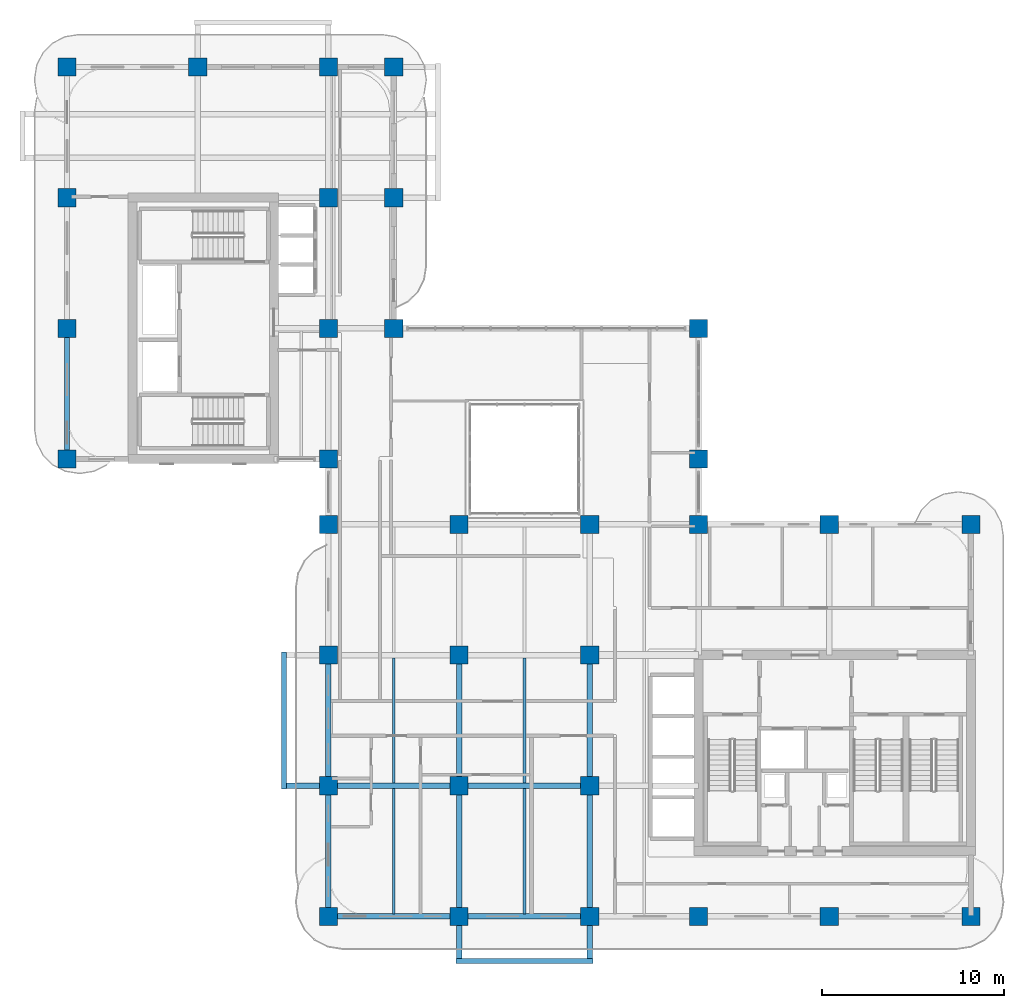
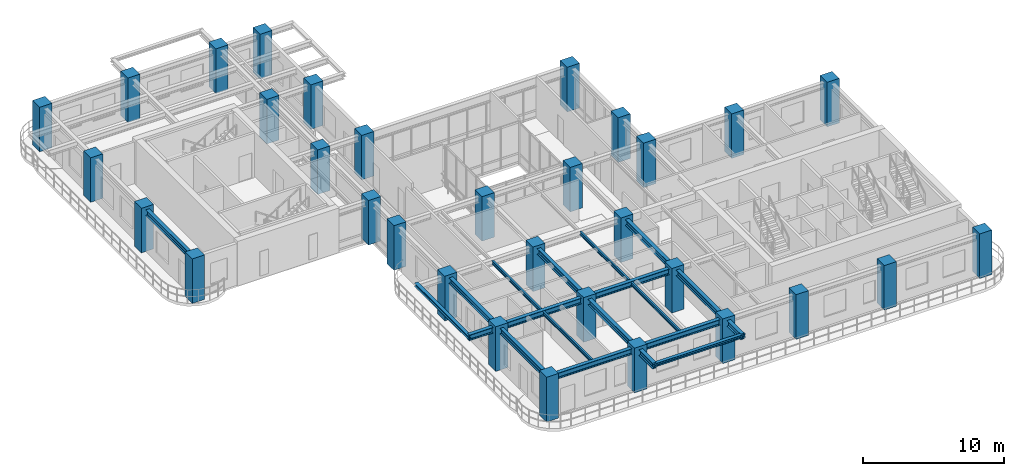
# One storey, part 1 of 19: 32 columns, 17 beams.
"""IFC4 building model written with IfcOpenShell, lengths in metres."""

from ifc_helpers import new_model, si_unit, derived_unit, direction, frame, origin, origin_2d, place, context, subcontext, project, spatial, rectangle, i_section, extrude, source, transform, mapped, material, material_profile, profile_set, type_object, type_shapes, element, save


model = new_model("IFC4")

# Units and contexts
model_context = context("Model", 3, precision=1e-05, world=origin(), true_north=direction((0.0, 1.0)))
body_context = subcontext(model_context, "Body", "Model", "MODEL_VIEW")
ifc_project = project(units=[si_unit("LENGTHUNIT", "METRE"), si_unit("AREAUNIT", "SQUARE_METRE"), si_unit("VOLUMEUNIT", "CUBIC_METRE"), si_unit("PLANEANGLEUNIT", "RADIAN"), si_unit("MASSUNIT", "GRAM", prefix="KILO"), si_unit("THERMODYNAMICTEMPERATUREUNIT", "KELVIN"), si_unit("POWERUNIT", "WATT"), derived_unit("THERMALTRANSMITTANCEUNIT", [(si_unit("POWERUNIT", "WATT"), 1), (si_unit("AREAUNIT", "SQUARE_METRE"), -1), (si_unit("THERMODYNAMICTEMPERATUREUNIT", "KELVIN"), -1)])], contexts=[model_context])

# Site, building, storey
site_placement = place(None, origin())
site = spatial("IfcSite", under=ifc_project, at=site_placement, CompositionType="ELEMENT")
building_placement = place(site_placement, origin())
building = spatial("IfcBuilding", under=site, at=building_placement, Name="Zahravan Archway Hotel and Residences", CompositionType="ELEMENT")
storey_placement = place(building_placement, frame((0.0, 0.0, 158.0)))
storey = spatial("IfcBuildingStorey", under=building, at=storey_placement, Name="L39", CompositionType="ELEMENT", Elevation=158.0)

# Columns
ifc_material_1 = material(Name="Concrete C60/75", Category="concrete")
ifc_material_profile_1 = material_profile(ifc_material_1, rectangle(XDim=1.0, YDim=1.0, at=origin_2d()), Name="RC-COL-1000x1000", Category="concrete")
ifc_profile_set_1 = profile_set([ifc_material_profile_1], Name="Concrete C60/75")
column_type = type_object("IfcColumnType", Name="COL-RC-1000", PredefinedType="COLUMN", material=ifc_profile_set_1)
shared_shape_1 = source(origin(), body_context, "Body", "SweptSolid", [
    extrude(rectangle(XDim=1.0, YDim=1.0, at=origin_2d()), origin(), (0.0, 0.0, 1.0), 3.85009765625),
])
for number, where, z_axis, x_axis, name in (
    (1, (0.0, 25.199951171875, 0.0), (0.0, 0.0, 1.0), (1.0, 0.0, 0.0), "L39 Column 1-E"),
    (2, (0.0, 32.39990234375, 0.0), (0.0, 0.0, 1.0), (1.0, 0.0, 0.0), "L39 Column 1-F"),
    (3, (0.0, 39.60009765625, 0.0), (0.0, 0.0, 1.0), (1.0, 0.0, 0.0), "L39 Column 1-G"),
    (4, (0.0, 46.800048828125, 0.0), (0.0, 0.0, 1.0), (1.0, 0.0, 0.0), "L39 Column 1-H"),
    (5, (7.199951171875, 46.800048828125, 0.0), (0.0, 0.0, 1.0), (1.0, 0.0, 0.0), "L39 Column 2-H"),
    (6, (14.39990234375, 0.0, 0.0), (0.0, 0.0, 1.0), (1.0, 0.0, 0.0), "L39 Column 3-A"),
    (7, (14.39990234375, 7.199951171875, 0.0), (0.0, 0.0, 1.0), (1.0, 0.0, 0.0), "L39 Column 3-B"),
    (8, (14.39990234375, 14.39990234375, 0.0), (0.0, 0.0, 1.0), (1.0, 0.0, 0.0), "L39 Column 3-C"),
    (9, (14.39990234375, 21.60009765625, 0.0), (0.0, 0.0, 1.0), (1.0, 0.0, 0.0), "L39 Column 3-D"),
    (10, (14.39990234375, 25.199951171875, 0.0), (0.0, 0.0, 1.0), (1.0, 0.0, 0.0), "L39 Column 3-E"),
    (11, (14.39990234375, 32.39990234375, 0.0), (0.0, 0.0, 1.0), (1.0, 0.0, 0.0), "L39 Column 3-F"),
    (12, (14.39990234375, 39.60009765625, 0.0), (0.0, 0.0, 1.0), (1.0, 0.0, 0.0), "L39 Column 3-G"),
    (13, (14.39990234375, 46.800048828125, 0.0), (0.0, 0.0, 1.0), (1.0, 0.0, 0.0), "L39 Column 3-H"),
    (14, (21.60009765625, 0.0, 0.0), (0.0, 0.0, 1.0), (1.0, 0.0, 0.0), "L39 Column 4-A"),
    (15, (21.60009765625, 7.199951171875, 0.0), (0.0, 0.0, 1.0), (1.0, 0.0, 0.0), "L39 Column 4-B"),
    (16, (21.60009765625, 14.39990234375, 0.0), (0.0, 0.0, 1.0), (1.0, 0.0, 0.0), "L39 Column 4-C"),
    (17, (21.60009765625, 21.60009765625, 0.0), (0.0, 0.0, 1.0), (1.0, 0.0, 0.0), "L39 Column 4-D"),
    (18, (28.800048828125, 0.0, 0.0), (0.0, 0.0, 1.0), (1.0, 0.0, 0.0), "L39 Column 5-A"),
    (19, (28.800048828125, 7.199951171875, 0.0), (0.0, 0.0, 1.0), (1.0, 0.0, 0.0), "L39 Column 5-B"),
    (20, (28.800048828125, 14.39990234375, 0.0), (0.0, 0.0, 1.0), (1.0, 0.0, 0.0), "L39 Column 5-C"),
    (21, (28.800048828125, 21.60009765625, 0.0), (0.0, 0.0, 1.0), (1.0, 0.0, 0.0), "L39 Column 5-D"),
    (22, (34.800048828125, 0.0, 0.0), (0.0, 0.0, 1.0), (1.0, 0.0, 0.0), "L39 Column 6-A"),
    (23, (34.800048828125, 21.60009765625, 0.0), (0.0, 0.0, 1.0), (1.0, 0.0, 0.0), "L39 Column 6-D"),
    (24, (34.800048828125, 25.199951171875, 0.0), (0.0, 0.0, 1.0), (1.0, 0.0, 0.0), "L39 Column 6-E"),
    (25, (34.800048828125, 32.39990234375, 0.0), (0.0, 0.0, 1.0), (1.0, 0.0, 0.0), "L39 Column 6-F"),
    (26, (42.0, 0.0, 0.0), (0.0, 0.0, 1.0), (1.0, 0.0, 0.0), "L39 Column 7-A"),
    (27, (42.0, 21.60009765625, 0.0), (0.0, 0.0, 1.0), (1.0, 0.0, 0.0), "L39 Column 7-D"),
    (28, (49.800048828125, 0.0, 0.0), (0.0, 0.0, 1.0), (1.0, 0.0, 0.0), "L39 Column 8-A"),
    (29, (49.800048828125, 21.60009765625, 0.0), (0.0, 0.0, 1.0), (1.0, 0.0, 0.0), "L39 Column 8-D"),
    (30, (18.0, 32.39990234375, 0.0), (0.0, 0.0, 1.0), (1.0, 0.0, 0.0), "L39 Column 3B-F"),
    (31, (18.0, 39.60009765625, 0.0), (0.0, 0.0, 1.0), (1.0, 0.0, 0.0), "L39 Column 3B-G"),
    (32, (18.0, 46.800048828125, 0.0), (0.0, 0.0, 1.0), (1.0, 0.0, 0.0), "L39 Column 3B-H"),
):
    element("IfcColumn", number, at=place(storey_placement, frame(where, z_axis=z_axis, x_axis=x_axis)), inside=storey, type_object=column_type, Name=name, PredefinedType="COLUMN", context=body_context, shape_type="MappedRepresentation", body=[
        mapped(shared_shape_1, transform((0.0, 0.0, 0.0), scale=1.0)),
    ])

# Beams
ifc_material_2 = material(Name="Structural Steel S355JR", Category="steel")
ifc_material_profile_2 = material_profile(ifc_material_2, i_section(OverallWidth=0.280029296875, OverallDepth=0.280029296875, WebThickness=0.010498046875, FlangeThickness=0.01806640625, FilletRadius=0.02392578125, at=origin_2d()), Name="HEB 280", Category="steel")
ifc_profile_set_2 = profile_set([ifc_material_profile_2], Name="Structural Steel S355JR")
beam_type_1 = type_object("IfcBeamType", Name="BM-SPN-HEB280", PredefinedType="SPANDREL", material=ifc_profile_set_2)
shared_shape_2 = source(origin(), body_context, "Body", "SweptSolid", [
    extrude(i_section(OverallWidth=0.280029296875, OverallDepth=0.280029296875, WebThickness=0.010498046875, FlangeThickness=0.01806640625, FilletRadius=0.02392578125, at=origin_2d()), origin(), (0.0, 0.0, 1.0), 7.56005859375),
])
type_shapes(beam_type_1, [shared_shape_2])
for number, where, z_axis, x_axis, name in (
    (33, (11.949951171875, 7.02001953125, 3.4599609375), (0.0, 1.0, 0.0), (-1.0, 0.0, 0.0), "L40 WA Balcony Edge Spandrel"),
    (34, (21.419921875, -2.449951171875, 3.4599609375), (1.0, 0.0, 0.0), (0.0, 1.0, 0.0), "L40 SA Balcony Edge Spandrel"),
):
    element("IfcBeam", number, at=place(storey_placement, frame(where, z_axis=z_axis, x_axis=x_axis)), inside=storey, type_object=beam_type_1, Name=name, PredefinedType="SPANDREL", context=body_context, shape_type="MappedRepresentation", body=[
        mapped(shared_shape_2, transform((0.0, 0.0, 0.0), scale=1.0)),
    ])
ifc_material_profile_3 = material_profile(ifc_material_2, i_section(OverallWidth=0.300048828125, OverallDepth=0.5, WebThickness=0.014404296875, FlangeThickness=0.028076171875, FilletRadius=0.027099609375, at=origin_2d()), Name="HEB 500", Category="steel")
ifc_profile_set_3 = profile_set([ifc_material_profile_3], Name="Structural Steel S355JR")
beam_type_2 = type_object("IfcBeamType", Name="BM-PRI-HEB500", PredefinedType="BEAM", material=ifc_profile_set_3)
shared_shape_3 = source(origin(), body_context, "Body", "SweptSolid", [
    extrude(i_section(OverallWidth=0.300048828125, OverallDepth=0.5, WebThickness=0.014404296875, FlangeThickness=0.028076171875, FilletRadius=0.027099609375, at=origin_2d()), origin(), (0.0, 0.0, 1.0), 7.2001953125),
])
type_shapes(beam_type_2, [shared_shape_3])
beam_1_placement = place(storey_placement, frame((14.39990234375, 0.0, 3.35009765625), z_axis=(1.0, 0.0, 0.0), x_axis=(0.0, 1.0, 0.0)))
element("IfcBeam", 35, at=beam_1_placement, inside=storey, type_object=beam_type_2, Name="L39 Primary Girder EW-01", PredefinedType="BEAM", context=body_context, shape_type="MappedRepresentation", body=[
    mapped(shared_shape_3, transform((0.0, 0.0, 0.0), scale=1.0)),
])
shared_shape_4 = source(origin(), body_context, "Body", "SweptSolid", [
    extrude(i_section(OverallWidth=0.300048828125, OverallDepth=0.5, WebThickness=0.014404296875, FlangeThickness=0.028076171875, FilletRadius=0.027099609375, at=origin_2d()), origin(), (0.0, 0.0, 1.0), 7.199951171875),
])
for number, where, z_axis, x_axis, name in (
    (36, (21.60009765625, 0.0, 3.35009765625), (1.0, 0.0, 0.0), (0.0, 1.0, 0.0), "L39 Primary Girder EW-02"),
    (37, (21.60009765625, 7.199951171875, 3.35009765625), (1.0, 0.0, 0.0), (0.0, 1.0, 0.0), "L39 Primary Girder EW-07"),
    (38, (0.0, 25.199951171875, 3.35009765625), (0.0, 1.0, 0.0), (-1.0, 0.0, 0.0), "L39 Primary Girder NS-24"),
    (39, (14.39990234375, 0.0, 3.35009765625), (0.0, 1.0, 0.0), (-1.0, 0.0, 0.0), "L39 Primary Girder NS-28"),
    (40, (14.39990234375, 7.199951171875, 3.35009765625), (0.0, 1.0, 0.0), (-1.0, 0.0, 0.0), "L39 Primary Girder NS-29"),
    (41, (21.60009765625, 7.199951171875, 3.35009765625), (0.0, 1.0, 0.0), (-1.0, 0.0, 0.0), "L39 Primary Girder NS-36"),
    (42, (28.800048828125, 7.199951171875, 3.35009765625), (0.0, 1.0, 0.0), (-1.0, 0.0, 0.0), "L39 Primary Girder NS-39"),
):
    element("IfcBeam", number, at=place(storey_placement, frame(where, z_axis=z_axis, x_axis=x_axis)), inside=storey, type_object=beam_type_2, Name=name, PredefinedType="BEAM", context=body_context, shape_type="MappedRepresentation", body=[
        mapped(shared_shape_4, transform((0.0, 0.0, 0.0), scale=1.0)),
    ])
shared_shape_5 = source(origin(), body_context, "Body", "SweptSolid", [
    extrude(i_section(OverallWidth=0.300048828125, OverallDepth=0.5, WebThickness=0.014404296875, FlangeThickness=0.028076171875, FilletRadius=0.027099609375, at=origin_2d()), origin(), (0.0, 0.0, 1.0), 9.650146484375),
])
beam_2_placement = place(storey_placement, frame((11.949951171875, 7.199951171875, 3.35009765625), z_axis=(1.0, 0.0, 0.0), x_axis=(0.0, 1.0, 0.0)))
element("IfcBeam", 43, at=beam_2_placement, inside=storey, type_object=beam_type_2, Name="L39 Primary Girder EW-06", PredefinedType="BEAM", context=body_context, shape_type="MappedRepresentation", body=[
    mapped(shared_shape_5, transform((0.0, 0.0, 0.0), scale=1.0)),
])
shared_shape_6 = source(origin(), body_context, "Body", "SweptSolid", [
    extrude(i_section(OverallWidth=0.300048828125, OverallDepth=0.5, WebThickness=0.014404296875, FlangeThickness=0.028076171875, FilletRadius=0.027099609375, at=origin_2d()), origin(), (0.0, 0.0, 1.0), 9.64990234375),
])
for number, where, z_axis, x_axis, name in (
    (44, (21.60009765625, -2.449951171875, 3.35009765625), (0.0, 1.0, 0.0), (-1.0, 0.0, 0.0), "L39 Primary Girder NS-35"),
    (45, (28.800048828125, -2.449951171875, 3.35009765625), (0.0, 1.0, 0.0), (-1.0, 0.0, 0.0), "L39 Primary Girder NS-38"),
):
    element("IfcBeam", number, at=place(storey_placement, frame(where, z_axis=z_axis, x_axis=x_axis)), inside=storey, type_object=beam_type_2, Name=name, PredefinedType="BEAM", context=body_context, shape_type="MappedRepresentation", body=[
        mapped(shared_shape_6, transform((0.0, 0.0, 0.0), scale=1.0)),
    ])
ifc_material_profile_4 = material_profile(ifc_material_2, i_section(OverallWidth=0.14990234375, OverallDepth=0.300048828125, WebThickness=0.007080078125, FlangeThickness=0.0107421875, FilletRadius=0.014892578125, at=origin_2d()), Name="IPE 300", Category="steel")
ifc_profile_set_4 = profile_set([ifc_material_profile_4], Name="Structural Steel S355JR")
beam_type_3 = type_object("IfcBeamType", Name="BM-JST-IPE300", PredefinedType="JOIST", material=ifc_profile_set_4)
shared_shape_7 = source(origin(), body_context, "Body", "SweptSolid", [
    extrude(i_section(OverallWidth=0.14990234375, OverallDepth=0.300048828125, WebThickness=0.007080078125, FlangeThickness=0.0107421875, FilletRadius=0.014892578125, at=origin_2d()), origin(), (0.0, 0.0, 1.0), 6.904052734375),
])
type_shapes(beam_type_3, [shared_shape_7])
for number, where, z_axis, x_axis, name in (
    (46, (18.0, 0.14794921875, 3.449951171875), (0.0, 1.0, 0.0), (-1.0, 0.0, 0.0), "L39 Composite Floor Joist 01"),
    (47, (25.199951171875, 0.14794921875, 3.449951171875), (0.0, 1.0, 0.0), (-1.0, 0.0, 0.0), "L39 Composite Floor Joist 02"),
    (48, (18.0, 7.347900390625, 3.449951171875), (0.0, 1.0, 0.0), (-1.0, 0.0, 0.0), "L39 Composite Floor Joist 04"),
    (49, (25.199951171875, 7.347900390625, 3.449951171875), (0.0, 1.0, 0.0), (-1.0, 0.0, 0.0), "L39 Composite Floor Joist 05"),
):
    element("IfcBeam", number, at=place(storey_placement, frame(where, z_axis=z_axis, x_axis=x_axis)), inside=storey, type_object=beam_type_3, Name=name, PredefinedType="JOIST", context=body_context, shape_type="MappedRepresentation", body=[
        mapped(shared_shape_7, transform((0.0, 0.0, 0.0), scale=1.0)),
    ])

save(model, "model.ifc")
